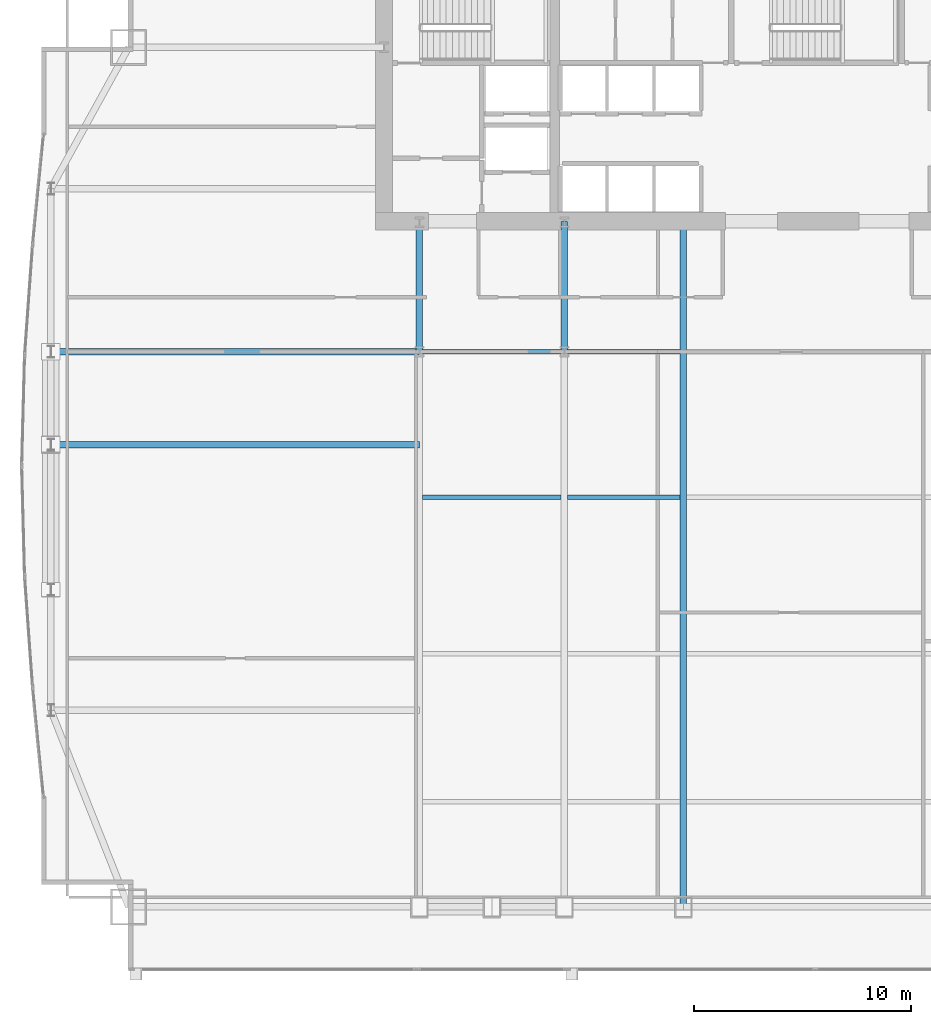
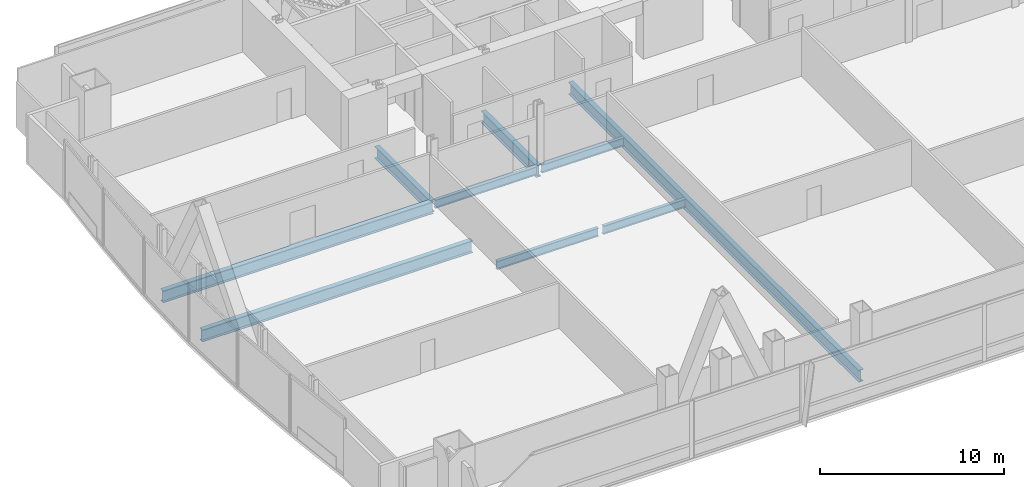
# One storey, part 11 of 33: 9 beams.
"""IFC4 building model written with IfcOpenShell, lengths in metres."""

from ifc_helpers import new_model, si_unit, direction, frame, origin, origin_2d, place, context, subcontext, project, spatial, i_section, extrude, material, material_profile, profile_set, type_object, element, save


model = new_model("IFC4")

# Units and contexts
model_context = context("Model", 3, precision=1e-05, world=origin(), true_north=direction((0.0, 1.0)))
body_context = subcontext(model_context, "Body", "Model", "MODEL_VIEW")
ifc_project = project(units=[si_unit("LENGTHUNIT", "METRE"), si_unit("AREAUNIT", "SQUARE_METRE"), si_unit("VOLUMEUNIT", "CUBIC_METRE"), si_unit("PLANEANGLEUNIT", "RADIAN"), si_unit("MASSUNIT", "GRAM", prefix="KILO")], contexts=[model_context])

# Site, building, storey
site_placement = place(None, origin())
site = spatial("IfcSite", under=ifc_project, at=site_placement, CompositionType="ELEMENT")
building_placement = place(site_placement, origin())
building = spatial("IfcBuilding", under=site, at=building_placement, Name="Khoronbel Lancet Exchange", CompositionType="ELEMENT")
storey_placement = place(building_placement, frame((0.0, 0.0, 73.800048828125)))
storey = spatial("IfcBuildingStorey", under=building, at=storey_placement, Name="L17", CompositionType="ELEMENT", Elevation=73.800048828125)

# Beams
ifc_material = material(Name="Steel S355", Category="steel")
ifc_material_profile_1 = material_profile(ifc_material, i_section(OverallWidth=0.300048828125, OverallDepth=0.800048828125, WebThickness=0.017578125, FlangeThickness=0.032958984375, at=origin_2d()), Name="HEB 800")
ifc_profile_set_1 = profile_set([ifc_material_profile_1], Name="Steel S355")
beam_type_1 = type_object("IfcBeamType", Name="BM-BG2", PredefinedType="BEAM", material=ifc_profile_set_1)
for number, where, z_axis, x_axis, name in (
    (1, (18.22509765625, 35.699951171875, -0.580078125), (0.0, 1.0, 0.0), (-1.0, 0.0, 0.0), "Level L17 spine tie girder GN1"),
    (2, (24.89990234375, 35.699951171875, -0.580078125), (0.0, 1.0, 0.0), (-1.0, 0.0, 0.0), "Level L17 spine tie girder GN2"),
):
    element("IfcBeam", number, at=place(storey_placement, frame(where, z_axis=z_axis, x_axis=x_axis)), inside=storey, type_object=beam_type_1, Name=name, PredefinedType="BEAM", context=body_context, shape_type="SweptSolid", body=[
        extrude(i_section(OverallWidth=0.300048828125, OverallDepth=0.800048828125, WebThickness=0.017578125, FlangeThickness=0.032958984375, at=origin_2d()), origin(), (0.0, 0.0, 1.0), 6.0),
    ])
beam_1_placement = place(storey_placement, frame((30.375, 10.14990234375, -0.580078125), z_axis=(0.0, 1.0, 0.0), x_axis=(-1.0, 0.0, 0.0)))
element("IfcBeam", 3, at=beam_1_placement, inside=storey, type_object=beam_type_1, Name="Level L17 primary floor girder G3", PredefinedType="BEAM", context=body_context, shape_type="SweptSolid", body=[
    extrude(i_section(OverallWidth=0.300048828125, OverallDepth=0.800048828125, WebThickness=0.017578125, FlangeThickness=0.032958984375, at=origin_2d()), origin(), (0.0, 0.0, 1.0), 31.550048828125),
])
for number, where, z_axis, x_axis, name in (
    (4, (1.27001953125, 31.425048828125, -0.580078125), (1.0, 0.0, 0.0), (0.0, 1.0, 0.0), "Level L17 west lens tie girder LG2W"),
    (5, (1.27001953125, 35.699951171875, -0.580078125), (1.0, 0.0, 0.0), (0.0, 1.0, 0.0), "Level L17 west lens tie girder LG4W"),
):
    element("IfcBeam", number, at=place(storey_placement, frame(where, z_axis=z_axis, x_axis=x_axis)), inside=storey, type_object=beam_type_1, Name=name, PredefinedType="BEAM", context=body_context, shape_type="SweptSolid", body=[
        extrude(i_section(OverallWidth=0.300048828125, OverallDepth=0.800048828125, WebThickness=0.017578125, FlangeThickness=0.032958984375, at=origin_2d()), origin(), (0.0, 0.0, 1.0), 16.955078125),
    ])
ifc_material_profile_2 = material_profile(ifc_material, i_section(OverallWidth=0.2099609375, OverallDepth=0.550048828125, WebThickness=0.010986328125, FlangeThickness=0.01708984375, at=origin_2d()), Name="IPE 550")
ifc_profile_set_2 = profile_set([ifc_material_profile_2], Name="Steel S355")
beam_type_2 = type_object("IfcBeamType", Name="BM-BJ2", PredefinedType="JOIST", material=ifc_profile_set_2)
beam_2_placement = place(storey_placement, frame((18.375, 29.0, -0.455078125), z_axis=(1.0, 0.0, 0.0), x_axis=(0.0, 1.0, 0.0)))
element("IfcBeam", 6, at=beam_2_placement, inside=storey, type_object=beam_type_2, Name="Level L17 secondary composite joist J11", PredefinedType="JOIST", context=body_context, shape_type="SweptSolid", body=[
    extrude(i_section(OverallWidth=0.2099609375, OverallDepth=0.550048828125, WebThickness=0.010986328125, FlangeThickness=0.01708984375, at=origin_2d()), origin(), (0.0, 0.0, 1.0), 6.375),
])
beam_3_placement = place(storey_placement, frame((25.050048828125, 29.0, -0.455078125), z_axis=(1.0, 0.0, 0.0), x_axis=(0.0, 1.0, 0.0)))
element("IfcBeam", 7, at=beam_3_placement, inside=storey, type_object=beam_type_2, Name="Level L17 secondary composite joist J12", PredefinedType="JOIST", context=body_context, shape_type="SweptSolid", body=[
    extrude(i_section(OverallWidth=0.2099609375, OverallDepth=0.550048828125, WebThickness=0.010986328125, FlangeThickness=0.01708984375, at=origin_2d()), origin(), (0.0, 0.0, 1.0), 5.175048828125),
])
beam_4_placement = place(storey_placement, frame((18.375, 35.699951171875, -0.455078125), z_axis=(1.0, 0.0, 0.0), x_axis=(0.0, 1.0, 0.0)))
element("IfcBeam", 8, at=beam_4_placement, inside=storey, type_object=beam_type_2, Name="Level L17 secondary composite joist J16", PredefinedType="JOIST", context=body_context, shape_type="SweptSolid", body=[
    extrude(i_section(OverallWidth=0.2099609375, OverallDepth=0.550048828125, WebThickness=0.010986328125, FlangeThickness=0.01708984375, at=origin_2d()), origin(), (0.0, 0.0, 1.0), 6.375),
])
beam_5_placement = place(storey_placement, frame((25.050048828125, 35.699951171875, -0.455078125), z_axis=(1.0, 0.0, 0.0), x_axis=(0.0, 1.0, 0.0)))
element("IfcBeam", 9, at=beam_5_placement, inside=storey, type_object=beam_type_2, Name="Level L17 secondary composite joist J17", PredefinedType="JOIST", context=body_context, shape_type="SweptSolid", body=[
    extrude(i_section(OverallWidth=0.2099609375, OverallDepth=0.550048828125, WebThickness=0.010986328125, FlangeThickness=0.01708984375, at=origin_2d()), origin(), (0.0, 0.0, 1.0), 5.175048828125),
])

save(model, "model.ifc")
